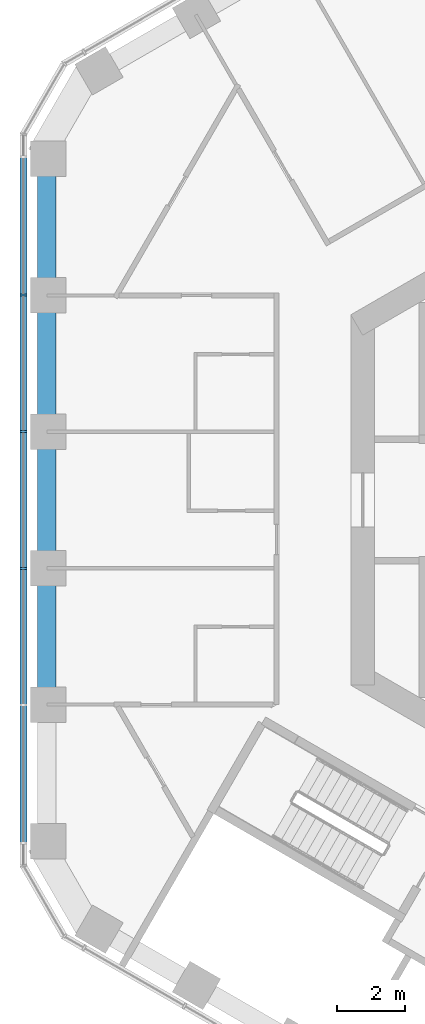
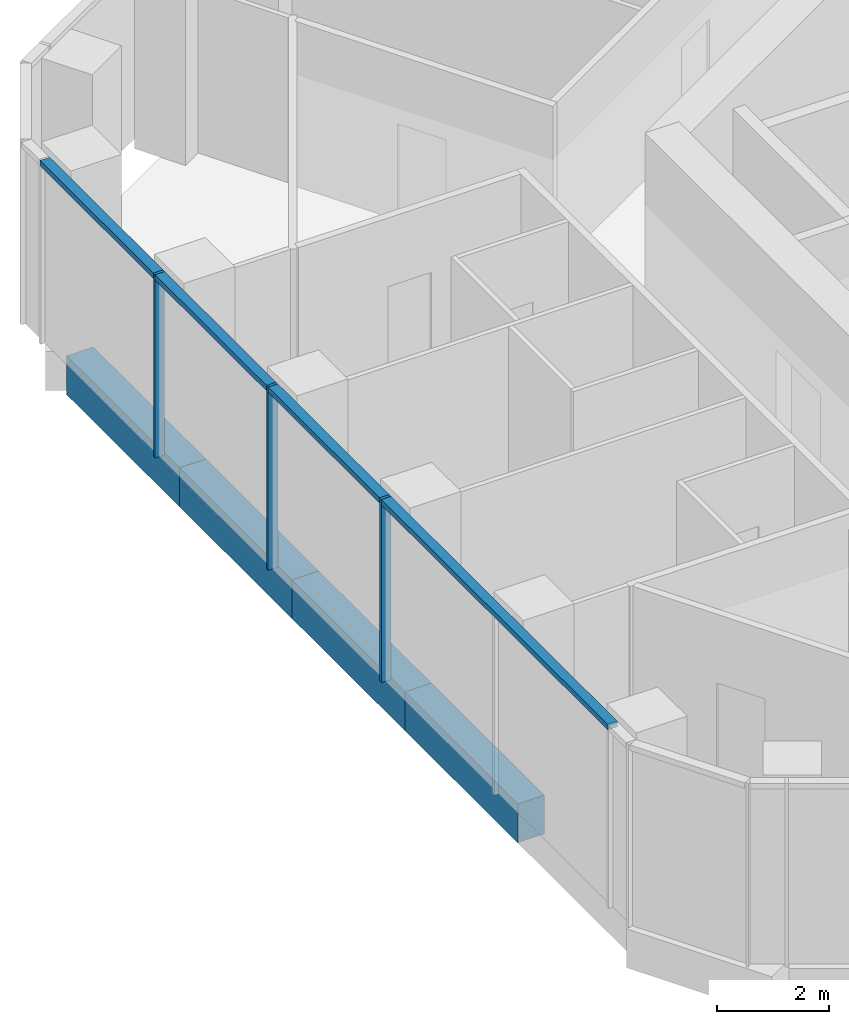
# One storey, part 4 of 25: 4 beams, 4 members, 1 element without a shape of its own.
"""IFC4 building model written with IfcOpenShell, lengths in metres."""

from ifc_helpers import new_model, si_unit, direction, frame, origin, origin_2d, place, context, subcontext, project, spatial, rectangle, extrude, material, layer, layer_set, material_profile, profile_set, type_object, element, aggregate, save


model = new_model("IFC4")

# Units and contexts
model_context = context("Model", 3, precision=1e-05, world=origin(), true_north=direction((0.0, 1.0)))
body_context = subcontext(model_context, "Body", "Model", "MODEL_VIEW")
ifc_project = project(units=[si_unit("LENGTHUNIT", "METRE"), si_unit("AREAUNIT", "SQUARE_METRE"), si_unit("VOLUMEUNIT", "CUBIC_METRE"), si_unit("PLANEANGLEUNIT", "RADIAN"), si_unit("MASSUNIT", "GRAM", prefix="KILO")], contexts=[model_context])

# Site, building, storey
site_placement = place(None, origin())
site = spatial("IfcSite", under=ifc_project, at=site_placement, CompositionType="ELEMENT")
building_placement = place(site_placement, origin())
building = spatial("IfcBuilding", under=site, at=building_placement, Name="Ayvan Gate Tower", CompositionType="ELEMENT")
storey_placement = place(building_placement, frame((0.0, 0.0, 139.89990234375)))
storey = spatial("IfcBuildingStorey", under=building, at=storey_placement, Name="L37", CompositionType="ELEMENT", Elevation=139.89990234375)

# Beams
ifc_material_1 = material(Name="Concrete C40/50", Category="concrete")
ifc_material_profile_1 = material_profile(ifc_material_1, rectangle(XDim=0.550048828125, YDim=0.85009765625, at=origin_2d()), Name="RC 550x850")
ifc_profile_set_1 = profile_set([ifc_material_profile_1], Name="Concrete C40/50")
beam_type = type_object("IfcBeamType", Name="Spandrel beam RC 550x850 C40/50", PredefinedType="BEAM", material=ifc_profile_set_1)
beam_1_placement = place(storey_placement, frame((-18.508544921875, 10.08203125, -0.824951171875), z_axis=(0.0, -1.0, 0.0), x_axis=(1.0, 0.0, 0.0)))
element("IfcBeam", 1, at=beam_1_placement, inside=storey, type_object=beam_type, Name="SB-L37-19", PredefinedType="BEAM", context=body_context, shape_type="SweptSolid", body=[
    extrude(rectangle(XDim=0.550048828125, YDim=0.85009765625, at=origin_2d()), origin(), (0.0, 0.0, 1.0), 4.03271484375),
])
beam_2_placement = place(storey_placement, frame((-18.508544921875, 6.04931640625, -0.824951171875), z_axis=(0.0, -1.0, 0.0), x_axis=(1.0, 0.0, 0.0)))
element("IfcBeam", 2, at=beam_2_placement, inside=storey, type_object=beam_type, Name="SB-L37-20", PredefinedType="BEAM", context=body_context, shape_type="SweptSolid", body=[
    extrude(rectangle(XDim=0.550048828125, YDim=0.85009765625, at=origin_2d()), origin(), (0.0, 0.0, 1.0), 4.032958984375),
])
beam_3_placement = place(storey_placement, frame((-18.508544921875, 2.016357421875, -0.824951171875), z_axis=(0.0, -1.0, 0.0), x_axis=(1.0, 0.0, 0.0)))
element("IfcBeam", 3, at=beam_3_placement, inside=storey, type_object=beam_type, Name="SB-L37-21", PredefinedType="BEAM", context=body_context, shape_type="SweptSolid", body=[
    extrude(rectangle(XDim=0.550048828125, YDim=0.85009765625, at=origin_2d()), origin(), (0.0, 0.0, 1.0), 4.03271484375),
])
beam_4_placement = place(storey_placement, frame((-18.508544921875, -2.016357421875, -0.824951171875), z_axis=(0.0, -1.0, 0.0), x_axis=(1.0, 0.0, 0.0)))
element("IfcBeam", 4, at=beam_4_placement, inside=storey, type_object=beam_type, Name="SB-L37-22", PredefinedType="BEAM", context=body_context, shape_type="SweptSolid", body=[
    extrude(rectangle(XDim=0.550048828125, YDim=0.85009765625, at=origin_2d()), origin(), (0.0, 0.0, 1.0), 4.032958984375),
])

# Curtain wall, members
ifc_material_2 = material(Name="Bronze anodised aluminium", Category="aluminium")
ifc_layer = layer(ifc_material_2, 0.199951171875)
ifc_layer_set = layer_set([ifc_layer], Name="Bronze anodised aluminium")
curtain_wall_type = type_object("IfcCurtainWallType", Name="Stick curtain wall CW-1", PredefinedType="NOTDEFINED", material=ifc_layer_set)
curtain_wall_placement = place(storey_placement, origin())
curtain_wall = element("IfcCurtainWall", 5, at=curtain_wall_placement, inside=storey, type_object=curtain_wall_type, Name="Stick curtain wall CW-1 L37", PredefinedType="NOTDEFINED")
ifc_material_profile_2 = material_profile(ifc_material_2, rectangle(XDim=0.199951171875, YDim=0.06005859375, at=origin_2d()), Name="Stick curtain wall CW-1 mullion 200 x 60")
ifc_profile_set_2 = profile_set([ifc_material_profile_2], Name="Bronze anodised aluminium")
member_type_1 = type_object("IfcMemberType", Name="Stick curtain wall CW-1 mullion 200 x 60", PredefinedType="MULLION", material=ifc_profile_set_2)
member_1_placement = place(storey_placement, frame((-19.194091796875, 6.06640625, 0.0), z_axis=(0.0, 0.0, 1.0), x_axis=(-1.0, 0.0, 0.0)))
member_1 = element("IfcMember", 6, at=member_1_placement, type_object=member_type_1, Name="CW-1 mullion 2", PredefinedType="MULLION", context=body_context, shape_type="SweptSolid", body=[
    extrude(rectangle(XDim=0.199951171875, YDim=0.06005859375, at=origin_2d()), origin(), (0.0, 0.0, 1.0), 4.0),
])
member_2_placement = place(storey_placement, frame((-19.194091796875, 2.0224609375, 0.0), z_axis=(0.0, 0.0, 1.0), x_axis=(-1.0, 0.0, 0.0)))
member_2 = element("IfcMember", 7, at=member_2_placement, type_object=member_type_1, Name="CW-1 mullion 3", PredefinedType="MULLION", context=body_context, shape_type="SweptSolid", body=[
    extrude(rectangle(XDim=0.199951171875, YDim=0.06005859375, at=origin_2d()), origin(), (0.0, 0.0, 1.0), 4.0),
])
member_3_placement = place(storey_placement, frame((-19.194091796875, -2.0224609375, 0.0), z_axis=(0.0, 0.0, 1.0), x_axis=(-1.0, 0.0, 0.0)))
member_3 = element("IfcMember", 8, at=member_3_placement, type_object=member_type_1, Name="CW-1 mullion 4", PredefinedType="MULLION", context=body_context, shape_type="SweptSolid", body=[
    extrude(rectangle(XDim=0.199951171875, YDim=0.06005859375, at=origin_2d()), origin(), (0.0, 0.0, 1.0), 4.0),
])
ifc_material_profile_3 = material_profile(ifc_material_2, rectangle(XDim=0.199951171875, YDim=0.1201171875, at=origin_2d()), Name="Stick curtain wall CW-1 transom 200 x 120")
ifc_profile_set_3 = profile_set([ifc_material_profile_3], Name="Bronze anodised aluminium")
member_type_2 = type_object("IfcMemberType", Name="Stick curtain wall CW-1 transom 200 x 120", PredefinedType="USERDEFINED", material=ifc_profile_set_3)
member_4_placement = place(storey_placement, frame((-19.194091796875, 10.152587890625, 3.940185546875), z_axis=(0.0, -1.0, 0.0), x_axis=(1.0, 0.0, 0.0)))
member_4 = element("IfcMember", 9, at=member_4_placement, type_object=member_type_2, Name="CW-1 transom 1", ObjectType="TRANSOM", PredefinedType="USERDEFINED", context=body_context, shape_type="SweptSolid", body=[
    extrude(rectangle(XDim=0.199951171875, YDim=0.1201171875, at=origin_2d()), origin(), (0.0, 0.0, 1.0), 20.30517578125),
])
aggregate(curtain_wall, [member_1, member_2, member_3, member_4])

save(model, "model.ifc")
